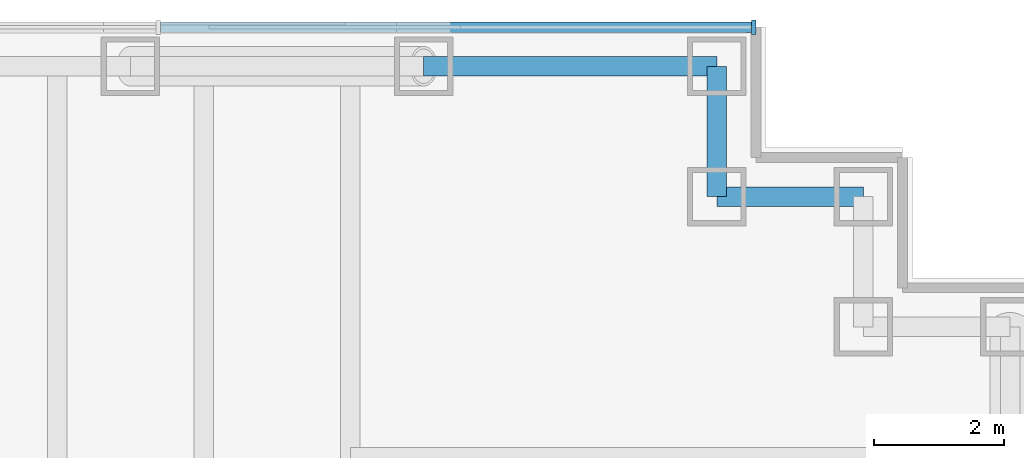
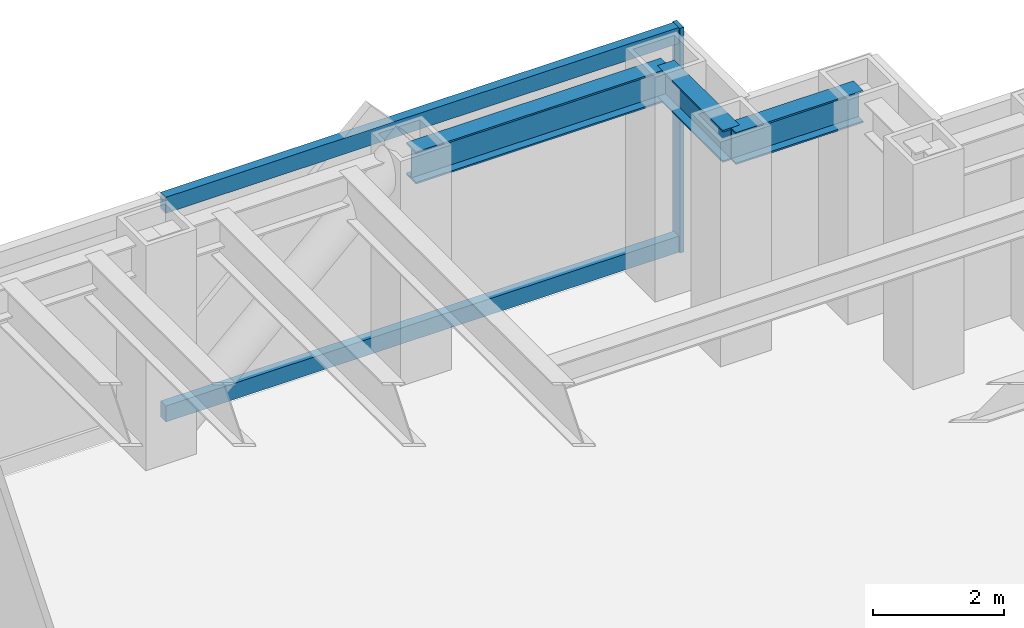
# One storey, part 9 of 15: 3 beams, 3 members, 1 element without a shape of its own.
"""IFC4 building model written with IfcOpenShell, lengths in metres."""

from ifc_helpers import new_model, si_unit, direction, frame, origin, origin_2d, place, context, subcontext, project, spatial, rectangle, i_section, extrude, material, material_profile, profile_set, type_object, element, aggregate, save


model = new_model("IFC4")

# Units and contexts
model_context = context("Model", 3, precision=1e-05, world=origin(), true_north=direction((0.0, 1.0)))
body_context = subcontext(model_context, "Body", "Model", "MODEL_VIEW")
ifc_project = project(units=[si_unit("LENGTHUNIT", "METRE"), si_unit("AREAUNIT", "SQUARE_METRE"), si_unit("VOLUMEUNIT", "CUBIC_METRE"), si_unit("PLANEANGLEUNIT", "RADIAN"), si_unit("MASSUNIT", "GRAM", prefix="KILO")], contexts=[model_context])

# Site, building, storey
site_placement = place(None, origin())
site = spatial("IfcSite", under=ifc_project, at=site_placement, CompositionType="ELEMENT")
building_placement = place(site_placement, origin())
building = spatial("IfcBuilding", under=site, at=building_placement, Name="Rheinbord Bourse Tower", CompositionType="ELEMENT")
storey_placement = place(building_placement, frame((0.0, 0.0, 236.199951171875)))
storey = spatial("IfcBuildingStorey", under=building, at=storey_placement, Name="L53", CompositionType="ELEMENT", Elevation=236.199951171875)

# Curtain wall, members
ifc_material_1 = material(Name="Dark glass and black aluminium", Category="aluminium")
curtain_wall_type = type_object("IfcCurtainWallType", Name="CW2 DARK GLASS CURTAIN WALL", PredefinedType="USERDEFINED", material=ifc_material_1)
curtain_wall_placement = place(storey_placement, origin())
curtain_wall = element("IfcCurtainWall", 1, at=curtain_wall_placement, inside=storey, type_object=curtain_wall_type, Name="Curtain wall CW2 N L53", ObjectType="UNITISED CURTAIN WALL", PredefinedType="USERDEFINED")
ifc_material_2 = material(Name="Black anodised aluminium", Category="aluminium")
ifc_material_profile_1 = material_profile(ifc_material_2, rectangle(XDim=0.219970703125, YDim=0.070068359375, at=origin_2d()), Name="CW2 MULLION 70x220")
ifc_profile_set_1 = profile_set([ifc_material_profile_1], Name="Black anodised aluminium")
member_type_1 = type_object("IfcMemberType", Name="CW2 BLACK MULLION", PredefinedType="MULLION", material=ifc_profile_set_1)
member_1_placement = place(storey_placement, frame((68.06494140625, 44.60009765625, 0.0), z_axis=(0.0, 0.0, 1.0), x_axis=(0.0, -1.0, 0.0)))
member_1 = element("IfcMember", 2, at=member_1_placement, type_object=member_type_1, Name="CW2 mullion 1", PredefinedType="MULLION", context=body_context, shape_type="SweptSolid", body=[
    extrude(rectangle(XDim=0.219970703125, YDim=0.070068359375, at=origin_2d()), origin(), (0.0, 0.0, 1.0), 4.199951171875),
])
ifc_material_3 = material(Name="Black anodised aluminium", Category="aluminium")
ifc_material_profile_2 = material_profile(ifc_material_3, rectangle(XDim=0.159912109375, YDim=0.300048828125, at=origin_2d()), Name="CW2 TRANSOM 300x160")
ifc_profile_set_2 = profile_set([ifc_material_profile_2], Name="Black anodised aluminium")
member_type_2 = type_object("IfcMemberType", Name="CW2 BLACK TRANSOM", PredefinedType="USERDEFINED", material=ifc_profile_set_2)
member_2_placement = place(storey_placement, frame((68.030029296875, 44.60009765625, 0.150146484375), z_axis=(-1.0, 0.0, 0.0), x_axis=(0.0, -1.0, 0.0)))
member_2 = element("IfcMember", 3, at=member_2_placement, type_object=member_type_2, Name="CW2 transom 1.1", ObjectType="TRANSOM", PredefinedType="USERDEFINED", context=body_context, shape_type="SweptSolid", body=[
    extrude(rectangle(XDim=0.159912109375, YDim=0.300048828125, at=origin_2d()), origin(), (0.0, 0.0, 1.0), 9.06640625),
])
member_3_placement = place(storey_placement, frame((68.030029296875, 44.60009765625, 4.050048828125), z_axis=(-1.0, 0.0, 0.0), x_axis=(0.0, -1.0, 0.0)))
member_3 = element("IfcMember", 4, at=member_3_placement, type_object=member_type_2, Name="CW2 transom 1.2", ObjectType="TRANSOM", PredefinedType="USERDEFINED", context=body_context, shape_type="SweptSolid", body=[
    extrude(rectangle(XDim=0.159912109375, YDim=0.300048828125, at=origin_2d()), origin(), (0.0, 0.0, 1.0), 9.06640625),
])
aggregate(curtain_wall, [member_1, member_2, member_3])

# Beams
ifc_material_4 = material(Name="Steel S460", Category="steel")
ifc_material_profile_3 = material_profile(ifc_material_4, i_section(OverallWidth=0.300048828125, OverallDepth=0.60009765625, WebThickness=0.015380859375, FlangeThickness=0.030029296875, at=origin_2d()), Name="HEB 600")
ifc_profile_set_3 = profile_set([ifc_material_profile_3], Name="Steel S460")
beam_type = type_object("IfcBeamType", Name="SPANDREL HEB 600", PredefinedType="SPANDREL", material=ifc_profile_set_3)
beam_1_placement = place(storey_placement, frame((69.75, 42.0, 3.739990234375), z_axis=(-1.0, 0.0, 0.0), x_axis=(0.0, -1.0, 0.0)))
element("IfcBeam", 5, at=beam_1_placement, inside=storey, type_object=beam_type, Name="Spandrel NE-C-NE-D under L54", PredefinedType="SPANDREL", context=body_context, shape_type="SweptSolid", body=[
    extrude(i_section(OverallWidth=0.300048828125, OverallDepth=0.60009765625, WebThickness=0.015380859375, FlangeThickness=0.030029296875, at=origin_2d()), origin(), (0.0, 0.0, 1.0), 2.25),
])
beam_2_placement = place(storey_placement, frame((67.5, 42.0, 3.739990234375), z_axis=(0.0, 1.0, 0.0), x_axis=(-1.0, 0.0, 0.0)))
element("IfcBeam", 6, at=beam_2_placement, inside=storey, type_object=beam_type, Name="Spandrel NE-D-NE-E under L54", PredefinedType="SPANDREL", context=body_context, shape_type="SweptSolid", body=[
    extrude(i_section(OverallWidth=0.300048828125, OverallDepth=0.60009765625, WebThickness=0.015380859375, FlangeThickness=0.030029296875, at=origin_2d()), origin(), (0.0, 0.0, 1.0), 2.0),
])
beam_3_placement = place(storey_placement, frame((67.5, 44.0, 3.739990234375), z_axis=(-1.0, 0.0, 0.0), x_axis=(0.0, -1.0, 0.0)))
element("IfcBeam", 7, at=beam_3_placement, inside=storey, type_object=beam_type, Name="Spandrel NE-E-N-63 under L54", PredefinedType="SPANDREL", context=body_context, shape_type="SweptSolid", body=[
    extrude(i_section(OverallWidth=0.300048828125, OverallDepth=0.60009765625, WebThickness=0.015380859375, FlangeThickness=0.030029296875, at=origin_2d()), origin(), (0.0, 0.0, 1.0), 4.5),
])

save(model, "model.ifc")
